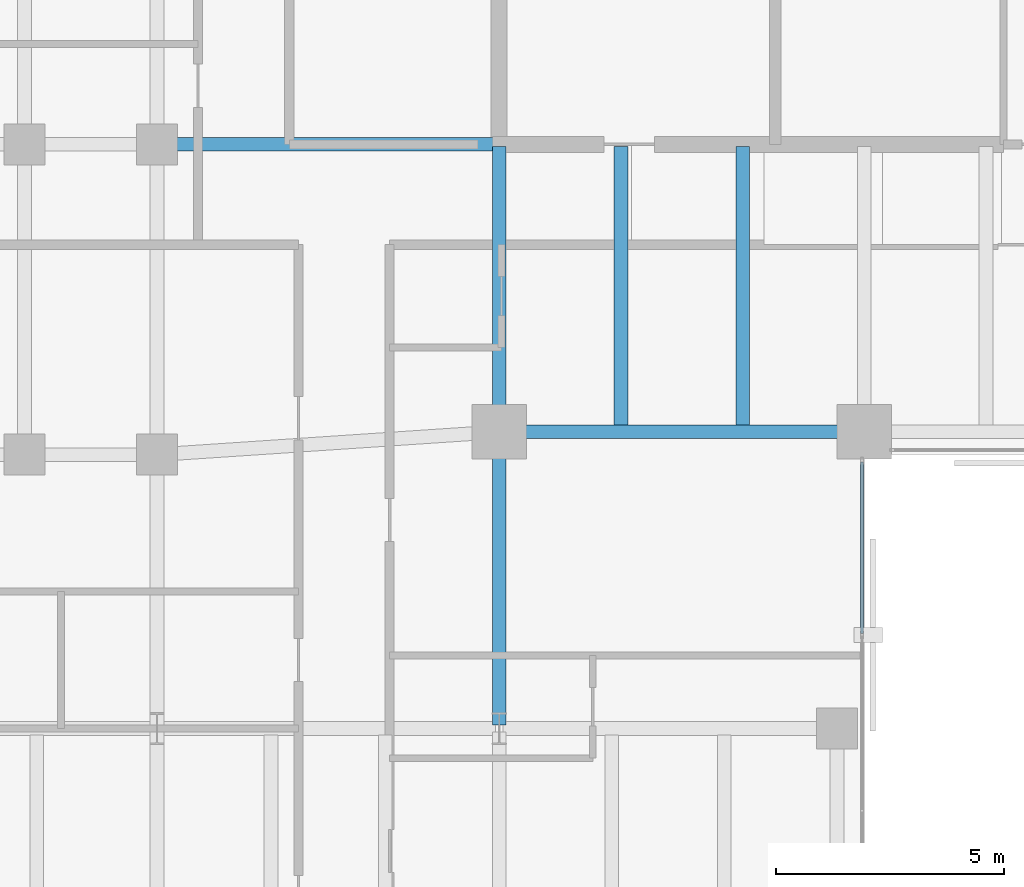
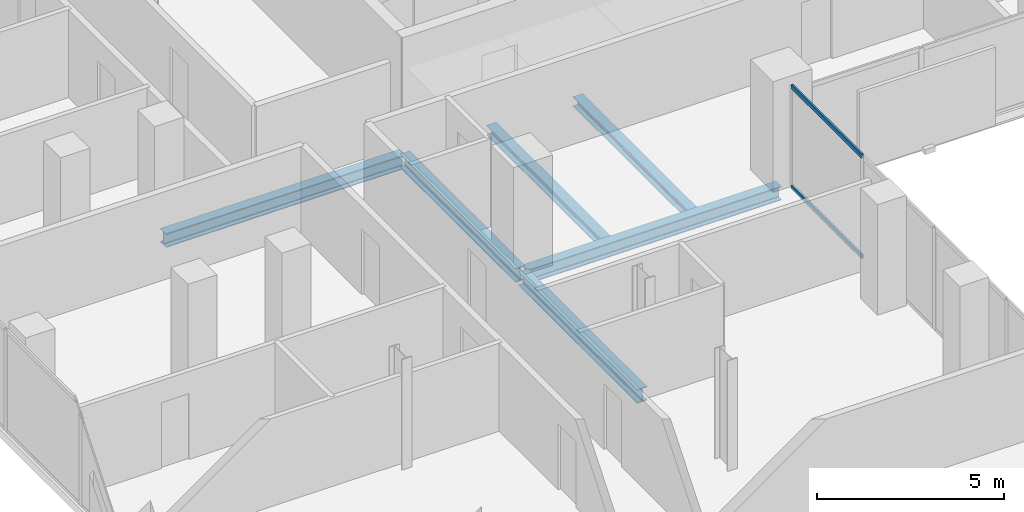
# One storey, part 12 of 34: 6 beams, 2 members, 1 element without a shape of its own.
"""IFC4 building model written with IfcOpenShell, lengths in metres."""

from ifc_helpers import new_model, si_unit, direction, frame, origin, origin_2d, place, context, subcontext, project, spatial, hollow_rectangle, i_section, extrude, material, layer, layer_set, material_profile, profile_set, type_object, element, aggregate, save


model = new_model("IFC4")

# Units and contexts
model_context = context("Model", 3, precision=1e-05, world=origin(), true_north=direction((0.0, 1.0)))
body_context = subcontext(model_context, "Body", "Model", "MODEL_VIEW")
ifc_project = project(units=[si_unit("LENGTHUNIT", "METRE"), si_unit("AREAUNIT", "SQUARE_METRE"), si_unit("VOLUMEUNIT", "CUBIC_METRE"), si_unit("PLANEANGLEUNIT", "RADIAN"), si_unit("MASSUNIT", "GRAM", prefix="KILO")], contexts=[model_context])

# Site, building, storey
site_placement = place(None, origin())
site = spatial("IfcSite", under=ifc_project, at=site_placement, CompositionType="ELEMENT")
building_placement = place(site_placement, origin())
building = spatial("IfcBuilding", under=site, at=building_placement, Name="Catumbela Crestline Tower", CompositionType="ELEMENT")
storey_placement = place(building_placement, frame((0.0, 0.0, 115.2)))
storey = spatial("IfcBuildingStorey", under=building, at=storey_placement, Name="L29", CompositionType="ELEMENT", Elevation=115.2)

# Beams
ifc_material_1 = material(Name="Structural steel S355J2", Category="steel")
ifc_material_profile_1 = material_profile(ifc_material_1, i_section(OverallWidth=0.3, OverallDepth=0.45, WebThickness=0.014, FlangeThickness=0.026, FilletRadius=0.027, at=origin_2d()), Name="HEB 450")
ifc_profile_set_1 = profile_set([ifc_material_profile_1], Name="Structural steel S355J2")
beam_type_1 = type_object("IfcBeamType", Name="BG-HEB450", PredefinedType="BEAM", material=ifc_profile_set_1)
beam_1_placement = place(storey_placement, frame((16.08, 24.5, -0.485), z_axis=(1.0, 0.0, 0.0), x_axis=(0.0, 1.0, 0.0)))
element("IfcBeam", 1, at=beam_1_placement, inside=storey, type_object=beam_type_1, Name="L29 Beam BM-L29-S04", PredefinedType="BEAM", context=body_context, shape_type="SweptSolid", body=[
    extrude(i_section(OverallWidth=0.3, OverallDepth=0.45, WebThickness=0.014, FlangeThickness=0.026, FilletRadius=0.027, at=origin_2d()), origin(), (0.0, 0.0, 1.0), 7.84),
])
beam_2_placement = place(storey_placement, frame((8.58, 30.8, -0.485), z_axis=(1.0, 0.0, 0.0), x_axis=(0.0, 1.0, 0.0)))
element("IfcBeam", 2, at=beam_2_placement, inside=storey, type_object=beam_type_1, Name="L29 Beam BM-L29-M09", PredefinedType="BEAM", context=body_context, shape_type="SweptSolid", body=[
    extrude(i_section(OverallWidth=0.3, OverallDepth=0.45, WebThickness=0.014, FlangeThickness=0.026, FilletRadius=0.027, at=origin_2d()), origin(), (0.0, 0.0, 1.0), 7.37),
])
beam_3_placement = place(storey_placement, frame((16.0, 24.58, -0.485), z_axis=(0.0, 1.0, 0.0), x_axis=(-1.0, 0.0, 0.0)))
element("IfcBeam", 3, at=beam_3_placement, inside=storey, type_object=beam_type_1, Name="L29 Beam BM-L29-SNS28", PredefinedType="BEAM", context=body_context, shape_type="SweptSolid", body=[
    extrude(i_section(OverallWidth=0.3, OverallDepth=0.45, WebThickness=0.014, FlangeThickness=0.026, FilletRadius=0.027, at=origin_2d()), origin(), (0.0, 0.0, 1.0), 6.17),
])
beam_4_placement = place(storey_placement, frame((16.0, 18.08, -0.485), z_axis=(0.0, 1.0, 0.0), x_axis=(-1.0, 0.0, 0.0)))
element("IfcBeam", 4, at=beam_4_placement, inside=storey, type_object=beam_type_1, Name="L29 Beam BM-L29-WNS60", PredefinedType="BEAM", context=body_context, shape_type="SweptSolid", body=[
    extrude(i_section(OverallWidth=0.3, OverallDepth=0.45, WebThickness=0.014, FlangeThickness=0.026, FilletRadius=0.027, at=origin_2d()), origin(), (0.0, 0.0, 1.0), 6.34),
])
ifc_material_profile_2 = material_profile(ifc_material_1, i_section(OverallWidth=0.3, OverallDepth=0.31, WebThickness=0.009, FlangeThickness=0.0155, FilletRadius=0.027, at=origin_2d()), Name="HEA 320")
ifc_profile_set_2 = profile_set([ifc_material_profile_2], Name="Structural steel S355J2")
beam_type_2 = type_object("IfcBeamType", Name="BJ-HEA320", PredefinedType="JOIST", material=ifc_profile_set_2)
for number, where, z_axis, x_axis, name in (
    (5, (18.667, 24.647, -0.415), (0.0, 1.0, 0.0), (-1.0, 0.0, 0.0), "L29 Joist JS-L29-SP37"),
    (6, (21.333, 24.647, -0.415), (0.0, 1.0, 0.0), (-1.0, 0.0, 0.0), "L29 Joist JS-L29-SP38"),
):
    element("IfcBeam", number, at=place(storey_placement, frame(where, z_axis=z_axis, x_axis=x_axis)), inside=storey, type_object=beam_type_2, Name=name, PredefinedType="JOIST", context=body_context, shape_type="SweptSolid", body=[
        extrude(i_section(OverallWidth=0.3, OverallDepth=0.31, WebThickness=0.009, FlangeThickness=0.0155, FilletRadius=0.027, at=origin_2d()), origin(), (0.0, 0.0, 1.0), 6.103),
    ])

# Curtain wall, members
ifc_material_2 = material(Name="Aluminium alloy AW-6060-T66", Category="aluminium")
ifc_layer = layer(ifc_material_2, 0.18, Name="Aluminium alloy AW-6060-T66")
ifc_layer_set = layer_set([ifc_layer], Name="Aluminium alloy AW-6060-T66")
curtain_wall_type = type_object("IfcCurtainWallType", Name="CWU-Z2", PredefinedType="USERDEFINED", material=ifc_layer_set)
curtain_wall_placement = place(storey_placement, origin())
curtain_wall = element("IfcCurtainWall", 7, at=curtain_wall_placement, inside=storey, type_object=curtain_wall_type, Name="L29 Unitised Curtain Wall CW-L29-E2S1", ObjectType="UNITISED", PredefinedType="USERDEFINED")
ifc_material_profile_3 = material_profile(ifc_material_2, hollow_rectangle(XDim=0.06, YDim=0.14, WallThickness=0.004, at=origin_2d()), Name="ALU 140x60x4")
ifc_profile_set_3 = profile_set([ifc_material_profile_3], Name="Aluminium alloy AW-6060-T66")
member_type = type_object("IfcMemberType", Name="TRN-140X60", PredefinedType="USERDEFINED", material=ifc_profile_set_3)
member_1_placement = place(storey_placement, frame((23.95, 20.0825, 0.03), z_axis=(0.0, 1.0, 0.0), x_axis=(-1.0, 0.0, 0.0)))
member_1 = element("IfcMember", 8, at=member_1_placement, type_object=member_type, Name="CWU-Z2 transom 4.1", ObjectType="TRANSOM", PredefinedType="USERDEFINED", context=body_context, shape_type="SweptSolid", body=[
    extrude(hollow_rectangle(XDim=0.06, YDim=0.14, WallThickness=0.004, at=origin_2d()), origin(), (0.0, 0.0, 1.0), 3.7525),
])
member_2_placement = place(storey_placement, frame((23.95, 20.0825, 3.3), z_axis=(0.0, 1.0, 0.0), x_axis=(-1.0, 0.0, 0.0)))
member_2 = element("IfcMember", 9, at=member_2_placement, type_object=member_type, Name="CWU-Z2 transom 4.2", ObjectType="TRANSOM", PredefinedType="USERDEFINED", context=body_context, shape_type="SweptSolid", body=[
    extrude(hollow_rectangle(XDim=0.06, YDim=0.14, WallThickness=0.004, at=origin_2d()), origin(), (0.0, 0.0, 1.0), 3.7525),
])
aggregate(curtain_wall, [member_1, member_2])

save(model, "model.ifc")
